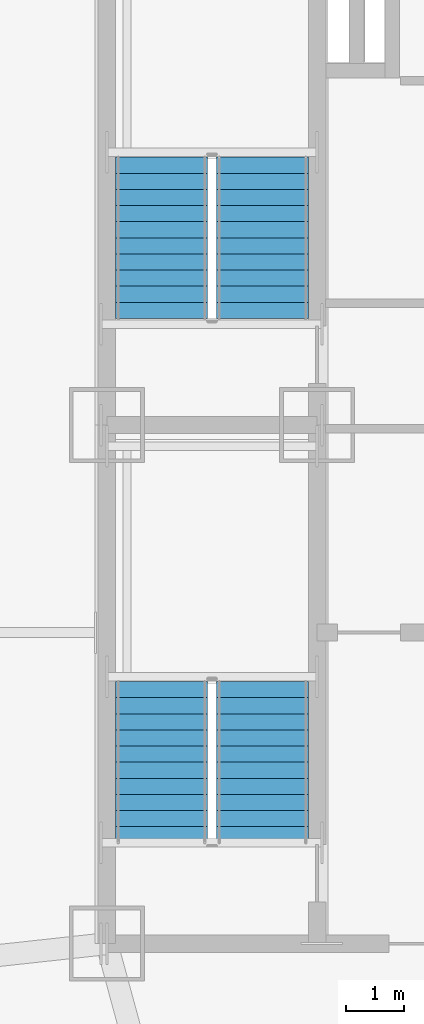
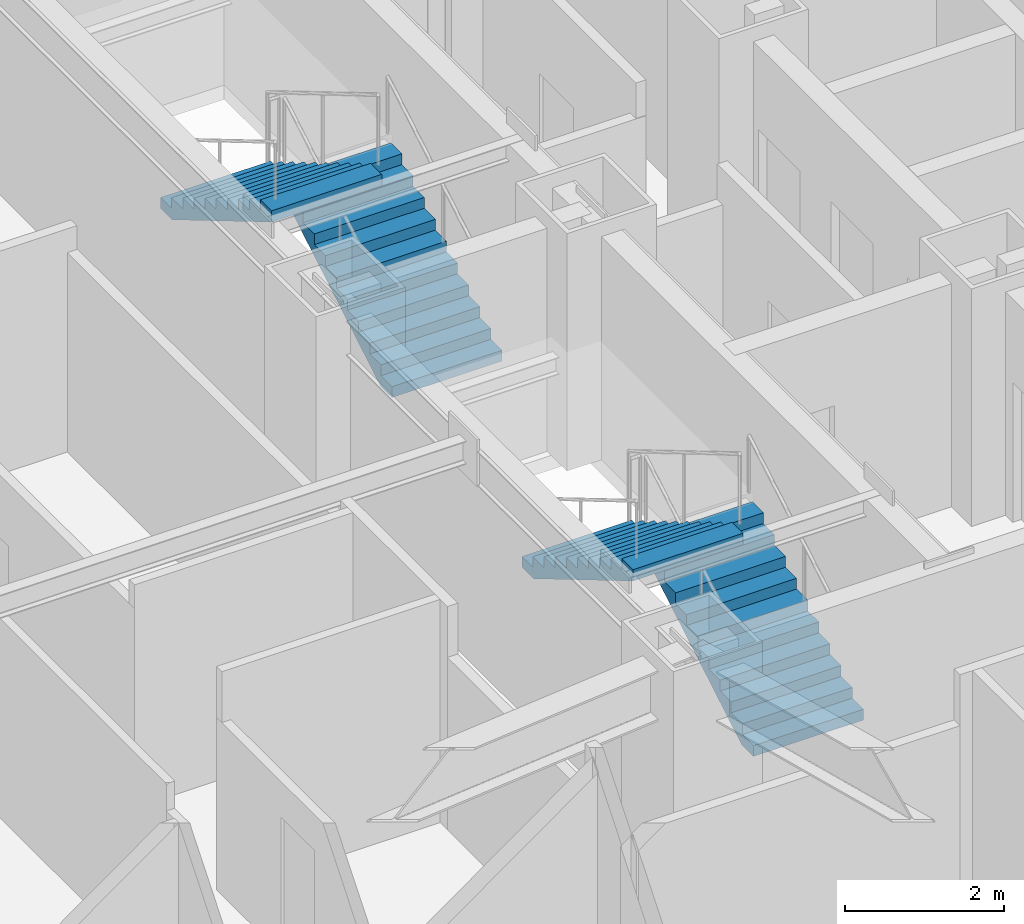
# One storey, part 17 of 18: 4 stair flights, 2 elements without a shape of their own.
"""IFC4 building model written with IfcOpenShell, lengths in metres."""

import ifcopenshell
import ifcopenshell.guid

model = None  # the IFC model being written
_history = None  # IfcOwnerHistory: only IFC2X3 demands one
_inside = {}  # id of a spatial element -> (the spatial element, [elements in it])
_under = {}  # id of a project, library or spatial element -> (it, [spatial elements below it])
_declared = {}  # id of a project -> (the project, [libraries it declares])
_typed = {}  # id of a type object -> (the type object, [elements of that type])
_made_of = {}  # id of a material, layer set ... -> (it, [elements and type objects made of it])


def new_model(schema):
    """Start an empty IFC model of exactly this schema.

    Asked for "IFC4X3", IfcOpenShell would pick the latest addendum, in which some entities
    have other attributes; the version numbers below select the first issue.
    IFC2X3 requires an IfcOwnerHistory on every rooted entity: one is made here for all.
    """
    global model, _history
    if schema == "IFC4X3":
        model = ifcopenshell.file(schema_version=(4, 3, 0, 0))
    else:
        model = ifcopenshell.file(schema=schema)
    _inside.clear()
    _under.clear()
    _declared.clear()
    _typed.clear()
    _made_of.clear()
    _history = None
    if model.schema == "IFC2X3":
        org = make("IfcOrganization", Name="unknown")
        user = make(
            "IfcPersonAndOrganization",
            ThePerson=make("IfcPerson", FamilyName="unknown"),
            TheOrganization=org,
        )
        app = make(
            "IfcApplication",
            ApplicationDeveloper=org,
            Version="unknown",
            ApplicationFullName="unknown",
            ApplicationIdentifier="unknown",
        )
        _history = make(
            "IfcOwnerHistory",
            OwningUser=user,
            OwningApplication=app,
            ChangeAction="ADDED",
            CreationDate=0,
        )
    return model


def make(cls, **values):
    """One entity of the class cls with the attributes given. An attribute that is None is left unset."""
    return model.create_entity(
        cls, **{name: value for name, value in values.items() if value is not None}
    )


def rooted(cls, **values):
    """An entity with a GlobalId (a new one), such as an element, a storey or a relation."""
    return make(cls, GlobalId=ifcopenshell.guid.new(), OwnerHistory=_history, **values)


def si_unit(unit_type, name, prefix=None):
    """IfcSIUnit, for example si_unit("LENGTHUNIT", "METRE", prefix="MILLI")."""
    return make("IfcSIUnit", UnitType=unit_type, Prefix=prefix, Name=name)


def assignment(units):
    """IfcUnitAssignment: the units of a project."""
    return None if units is None else make("IfcUnitAssignment", Units=units)


def point(xyz):
    """IfcCartesianPoint."""
    return None if xyz is None else make("IfcCartesianPoint", Coordinates=xyz)


def direction(xyz):
    """IfcDirection."""
    return None if xyz is None else make("IfcDirection", DirectionRatios=xyz)


def frame(location, z_axis=None, x_axis=None):
    """IfcAxis2Placement3D, a coordinate frame: its origin and axes. An axis left out is left unset."""
    return make(
        "IfcAxis2Placement3D",
        Location=point(location),
        Axis=direction(z_axis),
        RefDirection=direction(x_axis),
    )


def origin():
    """The frame at (0, 0, 0) with its axes left unset."""
    return frame((0.0, 0.0, 0.0))


def place(relative_to, where):
    """IfcLocalPlacement: puts the frame where relative to a parent placement (None: the world)."""
    return make(
        "IfcLocalPlacement", PlacementRelTo=relative_to, RelativePlacement=where
    )


def context(
    kind, dimensions, precision=None, world=None, true_north=None, identifier=None
):
    """IfcGeometricRepresentationContext, for example the 3D "Model" context."""
    return make(
        "IfcGeometricRepresentationContext",
        ContextIdentifier=identifier,
        ContextType=kind,
        CoordinateSpaceDimension=dimensions,
        Precision=precision,
        WorldCoordinateSystem=world,
        TrueNorth=true_north,
    )


def subcontext(parent, identifier, kind, view, scale=None):
    """IfcGeometricRepresentationSubContext, for example "Body" below "Model"."""
    return make(
        "IfcGeometricRepresentationSubContext",
        ContextIdentifier=identifier,
        ContextType=kind,
        ParentContext=parent,
        TargetScale=scale,
        TargetView=view,
    )


def project(units=None, contexts=None):
    """IfcProject with its units and contexts."""
    return rooted(
        "IfcProject",
        Name="project",
        RepresentationContexts=contexts,
        UnitsInContext=assignment(units),
    )


def spatial(cls, under=None, at=None, **own):
    """A site, building, storey or space (cls), placed at a placement, below another one or the project."""
    s = rooted(cls, ObjectPlacement=at, **own)
    if under is not None:
        _under.setdefault(under.id(), (under, []))[1].append(s)
    return s


def polyline(points):
    """IfcPolyline through the points."""
    return make("IfcPolyline", Points=[point(p) for p in points])


def outline(outer, holes=None, kind="AREA"):
    """IfcArbitraryClosedProfileDef: a profile drawn as a closed curve; with holes, ...WithVoids."""
    if holes is None:
        return make("IfcArbitraryClosedProfileDef", ProfileType=kind, OuterCurve=outer)
    return make(
        "IfcArbitraryProfileDefWithVoids",
        ProfileType=kind,
        OuterCurve=outer,
        InnerCurves=holes,
    )


def extrude(swept, where, along, depth):
    """IfcExtrudedAreaSolid: the profile swept, set in the frame where, extruded along a direction by depth."""
    return make(
        "IfcExtrudedAreaSolid",
        SweptArea=swept,
        Position=where,
        ExtrudedDirection=direction(along),
        Depth=depth,
    )


def shape(context_of_items, identifier, shape_type, items):
    """IfcShapeRepresentation: the items that make up one representation, for example the "Body"."""
    return make(
        "IfcShapeRepresentation",
        ContextOfItems=context_of_items,
        RepresentationIdentifier=identifier,
        RepresentationType=shape_type,
        Items=items,
    )


def material(Name=None, Category=None):
    """IfcMaterial."""
    return make("IfcMaterial", Name=Name, Category=Category)


def made_of(thing, what):
    """Note that an element or type object is made of a material, layer set ...; save() writes the relation."""
    if what is not None:
        _made_of.setdefault(what.id(), (what, []))[1].append(thing)
    return thing


def type_object(cls, material=None, **own):
    """A type object (cls), such as IfcWallType, which elements share."""
    return made_of(rooted(cls, **own), material)


def element(
    cls,
    number,
    at=None,
    inside=None,
    cuts=None,
    type_object=None,
    material=None,
    context=None,
    identifier="Body",
    shape_type=None,
    held_by="IfcProductDefinitionShape",
    body=None,
    shapes=None,
    **own,
):
    """One element of the class cls, such as IfcWall. Its Tag is "e" and its number.

    at: its placement. inside: the storey or other place that contains it. cuts: it is an
    opening in that element (IfcRelVoidsElement). A single representation is given by context,
    identifier, shape_type and body (its items); several are given by shapes. held_by: the class
    of the entity that holds the representations. save() writes the other relations.
    """
    e = rooted(cls, Tag="e%d" % number, ObjectPlacement=at, **own)
    if body is not None:
        shapes = [shape(context, identifier, shape_type, body)]
    if shapes is not None:
        e.Representation = make(held_by, Representations=shapes)
    if inside is not None:
        _inside.setdefault(inside.id(), (inside, []))[1].append(e)
    if cuts is not None:
        rooted(
            "IfcRelVoidsElement", RelatingBuildingElement=cuts, RelatedOpeningElement=e
        )
    if type_object is not None:
        _typed.setdefault(type_object.id(), (type_object, []))[1].append(e)
    return made_of(e, material)


def aggregate(whole, parts):
    """IfcRelAggregates: a whole, such as a stair, and the parts it consists of."""
    return rooted("IfcRelAggregates", RelatingObject=whole, RelatedObjects=parts)


def save(model, path):
    """Write the relations noted so far, then the file.

    IfcRelAggregates (storeys below a building ...), IfcRelContainedInSpatialStructure (elements
    in a storey), IfcRelDefinesByType, IfcRelAssociatesMaterial and IfcRelDeclares: one each for
    every whole, place, type object, material and project.
    """
    for whole, parts in _under.values():
        aggregate(whole, parts)
    for where, things in _inside.values():
        rooted(
            "IfcRelContainedInSpatialStructure",
            RelatedElements=things,
            RelatingStructure=where,
        )
    for kind, things in _typed.values():
        rooted("IfcRelDefinesByType", RelatedObjects=things, RelatingType=kind)
    for what, things in _made_of.values():
        rooted("IfcRelAssociatesMaterial", RelatedObjects=things, RelatingMaterial=what)
    for by, libraries in _declared.values():
        rooted("IfcRelDeclares", RelatingContext=by, RelatedDefinitions=libraries)
    model.write(path)


model = new_model("IFC4")

# Units and contexts
model_context = context("Model", 3, precision=1e-05, world=origin(), true_north=direction((0.0, 1.0)))
body_context = subcontext(model_context, "Body", "Model", "MODEL_VIEW")
ifc_project = project(units=[si_unit("LENGTHUNIT", "METRE"), si_unit("AREAUNIT", "SQUARE_METRE"), si_unit("VOLUMEUNIT", "CUBIC_METRE"), si_unit("PLANEANGLEUNIT", "RADIAN"), si_unit("MASSUNIT", "GRAM", prefix="KILO")], contexts=[model_context])

# Site, building, storey
site_placement = place(None, origin())
site = spatial("IfcSite", under=ifc_project, at=site_placement, CompositionType="ELEMENT")
building_placement = place(site_placement, origin())
building = spatial("IfcBuilding", under=site, at=building_placement, Name="Khamvora Tower", CompositionType="ELEMENT")
storey_placement = place(building_placement, frame((0.0, 0.0, 47.89990234375)))
storey = spatial("IfcBuildingStorey", under=building, at=storey_placement, Name="L11", CompositionType="ELEMENT", Elevation=47.89990234375)

# Stair, stair flights
ifc_material = material(Name="Concrete C40/50", Category="concrete")
stair_type_1 = type_object("IfcStairType", Name="STR-ST-01", PredefinedType="HALF_TURN_STAIR", material=ifc_material)
stair_1_placement = place(storey_placement, origin())
stair_1 = element("IfcStair", 1, at=stair_1_placement, inside=storey, type_object=stair_type_1, Name="L11 South Tower Exit Stair ST-01", PredefinedType="HALF_TURN_STAIR")
stair_flight_type_1 = type_object("IfcStairFlightType", Name="STF-ST-01", PredefinedType="STRAIGHT", material=ifc_material)
stair_flight_1_placement = place(storey_placement, frame((31.699951171875, 20.75, 0.0), z_axis=(0.0, 0.0, 1.0), x_axis=(0.0, 1.0, 0.0)))
stair_flight_1 = element("IfcStairFlight", 2, at=stair_flight_1_placement, type_object=stair_flight_type_1, Name="ST-01 flight 1", NumberOfRisers=11, NumberOfTreads=10, PredefinedType="STRAIGHT", RiserHeight=0.165909091, TreadLength=0.28, context=body_context, shape_type="SweptSolid", body=[
    extrude(outline(polyline([(0.0, 0.0), (0.0, 0.166015625), (0.280029296875, 0.166015625), (0.280029296875, 0.331787109375), (0.56005859375, 0.331787109375), (0.56005859375, 0.497802734375), (0.840087890625, 0.497802734375), (0.840087890625, 0.66357421875), (1.1201171875, 0.66357421875), (1.1201171875, 0.82958984375), (1.39990234375, 0.82958984375), (1.39990234375, 0.995361328125), (1.679931640625, 0.995361328125), (1.679931640625, 1.161376953125), (1.9599609375, 1.161376953125), (1.9599609375, 1.327392578125), (2.239990234375, 1.327392578125), (2.239990234375, 1.4931640625), (2.52001953125, 1.4931640625), (2.52001953125, 1.6591796875), (2.800048828125, 1.6591796875), (2.800048828125, 1.824951171875), (2.800048828125, 1.48486328125), (0.2939453125, 0.0), (0.0, 0.0)])), frame((0.0, 0.800048828125, 0.0), z_axis=(0.0, -1.0, 0.0), x_axis=(1.0, 0.0, 0.0)), (0.0, 0.0, 1.0), 1.60009765625),
])
stair_flight_2_placement = place(storey_placement, frame((29.949951171875, 23.550048828125, 1.8251953125), z_axis=(0.0, 0.0, 1.0), x_axis=(0.0, -1.0, 0.0)))
stair_flight_2 = element("IfcStairFlight", 3, at=stair_flight_2_placement, type_object=stair_flight_type_1, Name="ST-01 flight 2", NumberOfRisers=11, NumberOfTreads=10, PredefinedType="STRAIGHT", RiserHeight=0.165909091, TreadLength=0.28, context=body_context, shape_type="SweptSolid", body=[
    extrude(outline(polyline([(0.0, 0.0), (0.0, 0.166015625), (0.280029296875, 0.166015625), (0.280029296875, 0.331787109375), (0.56005859375, 0.331787109375), (0.56005859375, 0.497802734375), (0.840087890625, 0.497802734375), (0.840087890625, 0.66357421875), (1.1201171875, 0.66357421875), (1.1201171875, 0.82958984375), (1.39990234375, 0.82958984375), (1.39990234375, 0.995361328125), (1.679931640625, 0.995361328125), (1.679931640625, 1.161376953125), (1.9599609375, 1.161376953125), (1.9599609375, 1.327392578125), (2.239990234375, 1.327392578125), (2.239990234375, 1.4931640625), (2.52001953125, 1.4931640625), (2.52001953125, 1.6591796875), (2.800048828125, 1.6591796875), (2.800048828125, 1.824951171875), (2.800048828125, 1.48486328125), (0.2939453125, 0.0), (0.0, 0.0)])), frame((0.0, 0.800048828125, 0.0), z_axis=(0.0, -1.0, 0.0), x_axis=(1.0, 0.0, 0.0)), (0.0, 0.0, 1.0), 1.60009765625),
])
aggregate(stair_1, [stair_flight_1, stair_flight_2])

stair_type_2 = type_object("IfcStairType", Name="STR-ST-02", PredefinedType="HALF_TURN_STAIR", material=ifc_material)
stair_2_placement = place(storey_placement, origin())
stair_2 = element("IfcStair", 4, at=stair_2_placement, inside=storey, type_object=stair_type_2, Name="L11 North Tower Exit Stair ST-02", PredefinedType="HALF_TURN_STAIR")
stair_flight_type_2 = type_object("IfcStairFlightType", Name="STF-ST-02", PredefinedType="STRAIGHT", material=ifc_material)
stair_flight_3_placement = place(storey_placement, frame((31.699951171875, 29.85009765625, 0.0), z_axis=(0.0, 0.0, 1.0), x_axis=(0.0, 1.0, 0.0)))
stair_flight_3 = element("IfcStairFlight", 5, at=stair_flight_3_placement, type_object=stair_flight_type_2, Name="ST-02 flight 1", NumberOfRisers=11, NumberOfTreads=10, PredefinedType="STRAIGHT", RiserHeight=0.165909091, TreadLength=0.28, context=body_context, shape_type="SweptSolid", body=[
    extrude(outline(polyline([(0.0, 0.0), (0.0, 0.166015625), (0.280029296875, 0.166015625), (0.280029296875, 0.331787109375), (0.56005859375, 0.331787109375), (0.56005859375, 0.497802734375), (0.840087890625, 0.497802734375), (0.840087890625, 0.66357421875), (1.1201171875, 0.66357421875), (1.1201171875, 0.82958984375), (1.39990234375, 0.82958984375), (1.39990234375, 0.995361328125), (1.679931640625, 0.995361328125), (1.679931640625, 1.161376953125), (1.9599609375, 1.161376953125), (1.9599609375, 1.327392578125), (2.239990234375, 1.327392578125), (2.239990234375, 1.4931640625), (2.52001953125, 1.4931640625), (2.52001953125, 1.6591796875), (2.800048828125, 1.6591796875), (2.800048828125, 1.824951171875), (2.800048828125, 1.48486328125), (0.2939453125, 0.0), (0.0, 0.0)])), frame((0.0, 0.800048828125, 0.0), z_axis=(0.0, -1.0, 0.0), x_axis=(1.0, 0.0, 0.0)), (0.0, 0.0, 1.0), 1.60009765625),
])
stair_flight_4_placement = place(storey_placement, frame((29.949951171875, 32.64990234375, 1.8251953125), z_axis=(0.0, 0.0, 1.0), x_axis=(0.0, -1.0, 0.0)))
stair_flight_4 = element("IfcStairFlight", 6, at=stair_flight_4_placement, type_object=stair_flight_type_2, Name="ST-02 flight 2", NumberOfRisers=11, NumberOfTreads=10, PredefinedType="STRAIGHT", RiserHeight=0.165909091, TreadLength=0.28, context=body_context, shape_type="SweptSolid", body=[
    extrude(outline(polyline([(0.0, 0.0), (0.0, 0.166015625), (0.280029296875, 0.166015625), (0.280029296875, 0.331787109375), (0.56005859375, 0.331787109375), (0.56005859375, 0.497802734375), (0.840087890625, 0.497802734375), (0.840087890625, 0.66357421875), (1.1201171875, 0.66357421875), (1.1201171875, 0.82958984375), (1.39990234375, 0.82958984375), (1.39990234375, 0.995361328125), (1.679931640625, 0.995361328125), (1.679931640625, 1.161376953125), (1.9599609375, 1.161376953125), (1.9599609375, 1.327392578125), (2.239990234375, 1.327392578125), (2.239990234375, 1.4931640625), (2.52001953125, 1.4931640625), (2.52001953125, 1.6591796875), (2.800048828125, 1.6591796875), (2.800048828125, 1.824951171875), (2.800048828125, 1.48486328125), (0.2939453125, 0.0), (0.0, 0.0)])), frame((0.0, 0.800048828125, 0.0), z_axis=(0.0, -1.0, 0.0), x_axis=(1.0, 0.0, 0.0)), (0.0, 0.0, 1.0), 1.60009765625),
])
aggregate(stair_2, [stair_flight_3, stair_flight_4])

save(model, "model.ifc")
